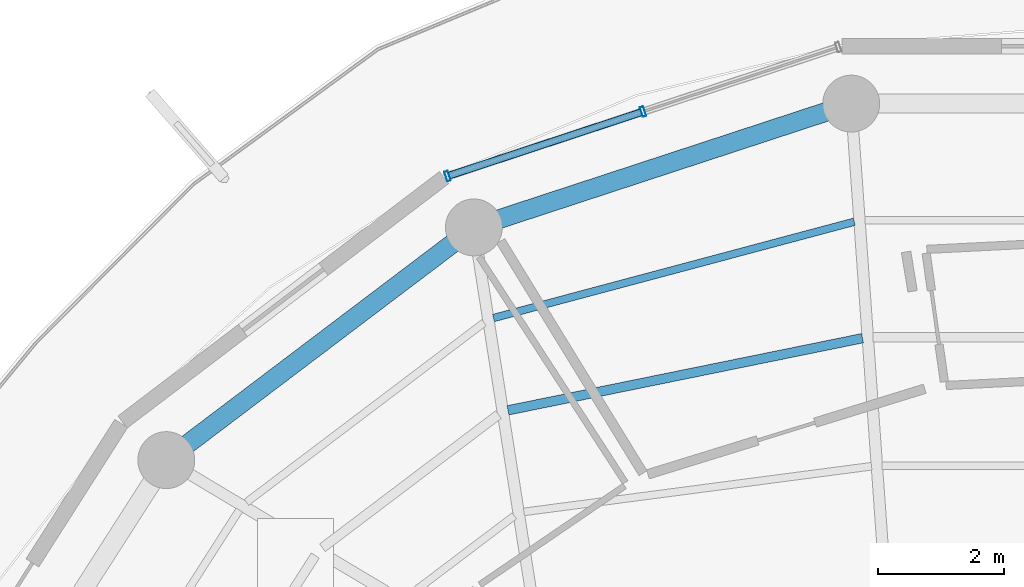
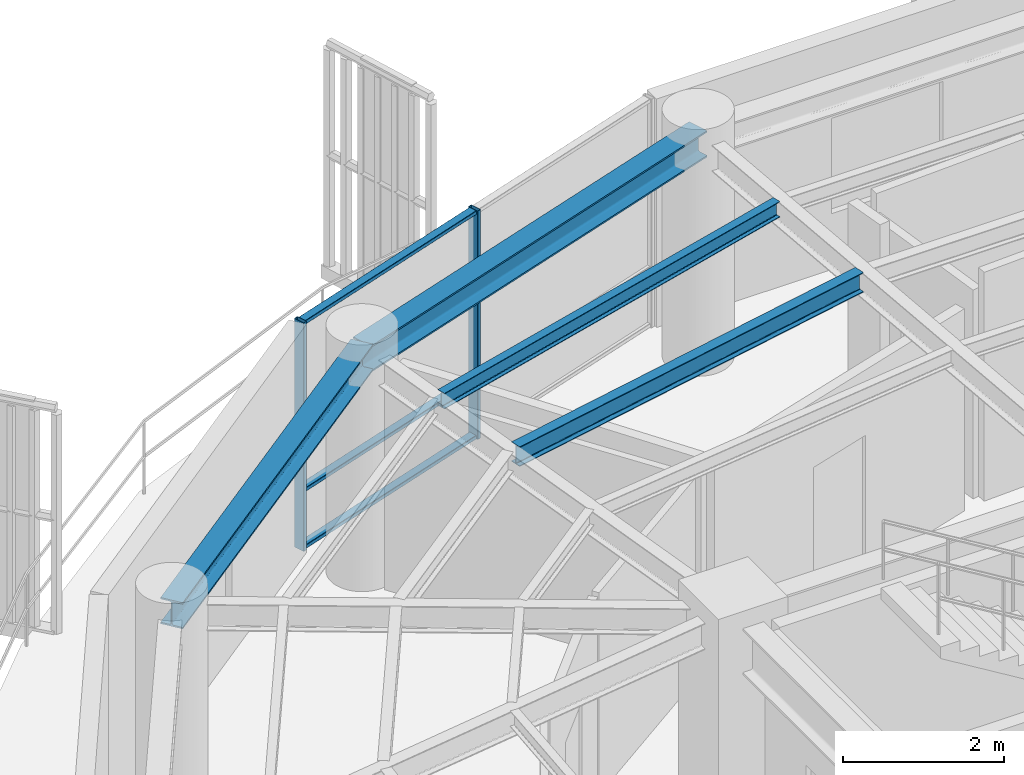
# One storey, part 13 of 24: 5 members, 4 beams, 1 element without a shape of its own.
"""IFC4 building model written with IfcOpenShell, lengths in metres."""

from ifc_helpers import new_model, si_unit, direction, frame, origin, origin_2d, place, context, subcontext, project, spatial, hollow_rectangle, i_section, extrude, material, layer, layer_set, material_profile, profile_set, type_object, element, aggregate, save


model = new_model("IFC4")

# Units and contexts
model_context = context("Model", 3, precision=1e-05, world=origin(), true_north=direction((0.0, 1.0)))
body_context = subcontext(model_context, "Body", "Model", "MODEL_VIEW")
ifc_project = project(units=[si_unit("LENGTHUNIT", "METRE"), si_unit("AREAUNIT", "SQUARE_METRE"), si_unit("VOLUMEUNIT", "CUBIC_METRE"), si_unit("PLANEANGLEUNIT", "RADIAN"), si_unit("MASSUNIT", "GRAM", prefix="KILO")], contexts=[model_context])

# Site, building, storey
site_placement = place(None, origin())
site = spatial("IfcSite", under=ifc_project, at=site_placement, CompositionType="ELEMENT")
building_placement = place(site_placement, origin())
building = spatial("IfcBuilding", under=site, at=building_placement, Name="Kelanora Arch Commons", CompositionType="ELEMENT")
storey_placement = place(building_placement, frame((0.0, 0.0, 248.699951171875)))
storey = spatial("IfcBuildingStorey", under=building, at=storey_placement, Name="L63", CompositionType="ELEMENT", Elevation=248.699951171875)

# Beams
ifc_material_1 = material(Name="Steel S355", Category="steel")
ifc_material_profile_1 = material_profile(ifc_material_1, i_section(OverallWidth=0.14990234375, OverallDepth=0.300048828125, WebThickness=0.007080078125, FlangeThickness=0.0107421875, FilletRadius=0.014892578125, at=origin_2d()), Name="IPE300")
ifc_profile_set_1 = profile_set([ifc_material_profile_1], Name="Steel S355")
beam_type_1 = type_object("IfcBeamType", Name="BM-JST-01", PredefinedType="JOIST", material=ifc_profile_set_1)
beam_1_placement = place(storey_placement, frame((71.004150390625, 70.520751953125, 3.340087890625), z_axis=(-0.979913482255, -0.199423086165, 0.0), x_axis=(0.199423086165, -0.979913482255, 0.0)))
element("IfcBeam", 1, at=beam_1_placement, inside=storey, type_object=beam_type_1, Name="Secondary Chord Joist BJB-10 L63", PredefinedType="JOIST", context=body_context, shape_type="SweptSolid", body=[
    extrude(i_section(OverallWidth=0.14990234375, OverallDepth=0.300048828125, WebThickness=0.007080078125, FlangeThickness=0.0107421875, FilletRadius=0.014892578125, at=origin_2d()), origin(), (0.0, 0.0, 1.0), 5.7197265625),
])
ifc_material_profile_2 = material_profile(ifc_material_1, i_section(OverallWidth=0.1201171875, OverallDepth=0.239990234375, WebThickness=0.006103515625, FlangeThickness=0.009765625, FilletRadius=0.014892578125, at=origin_2d()), Name="IPE240")
ifc_profile_set_2 = profile_set([ifc_material_profile_2], Name="Steel S355")
beam_type_2 = type_object("IfcBeamType", Name="BM-JST-02", PredefinedType="JOIST", material=ifc_profile_set_2)
beam_2_placement = place(storey_placement, frame((70.87451171875, 72.36181640625, 3.3701171875), z_axis=(-0.966190312964, -0.257829942278, 0.0), x_axis=(0.257829942278, -0.966190312964, 0.0)))
element("IfcBeam", 2, at=beam_2_placement, inside=storey, type_object=beam_type_2, Name="Secondary Chord Joist BJC-10 L63", PredefinedType="JOIST", context=body_context, shape_type="SweptSolid", body=[
    extrude(i_section(OverallWidth=0.1201171875, OverallDepth=0.239990234375, WebThickness=0.006103515625, FlangeThickness=0.009765625, FilletRadius=0.014892578125, at=origin_2d()), origin(), (0.0, 0.0, 1.0), 5.904052734375),
])
ifc_material_profile_3 = material_profile(ifc_material_1, i_section(OverallWidth=0.300048828125, OverallDepth=0.39990234375, WebThickness=0.013427734375, FlangeThickness=0.02392578125, FilletRadius=0.027099609375, at=origin_2d()), Name="HEB400")
ifc_profile_set_3 = profile_set([ifc_material_profile_3], Name="Steel S355")
beam_type_3 = type_object("IfcBeamType", Name="BM-SPN-Z4", PredefinedType="SPANDREL", material=ifc_profile_set_3)
beam_3_placement = place(storey_placement, frame((70.82568359375, 74.2294921875, 3.2900390625), z_axis=(-0.950165923039, -0.311744636996, 0.0), x_axis=(0.311744636996, -0.950165923039, 0.0)))
element("IfcBeam", 3, at=beam_3_placement, inside=storey, type_object=beam_type_3, Name="Perimeter Spandrel Beam BS-10 L63", PredefinedType="SPANDREL", context=body_context, shape_type="SweptSolid", body=[
    extrude(i_section(OverallWidth=0.300048828125, OverallDepth=0.39990234375, WebThickness=0.013427734375, FlangeThickness=0.02392578125, FilletRadius=0.027099609375, at=origin_2d()), origin(), (0.0, 0.0, 1.0), 6.278564453125),
])
beam_4_placement = place(storey_placement, frame((64.860107421875, 72.272216796875, 3.2900390625), z_axis=(-0.797509460967, -0.603306439273, 0.0), x_axis=(0.603306439273, -0.797509460967, 0.0)))
element("IfcBeam", 4, at=beam_4_placement, inside=storey, type_object=beam_type_3, Name="Perimeter Spandrel Beam BS-12 L63", PredefinedType="SPANDREL", context=body_context, shape_type="SweptSolid", body=[
    extrude(i_section(OverallWidth=0.300048828125, OverallDepth=0.39990234375, WebThickness=0.013427734375, FlangeThickness=0.02392578125, FilletRadius=0.027099609375, at=origin_2d()), origin(), (0.0, 0.0, 1.0), 6.098388671875),
])

# Curtain wall, members
ifc_material_2 = material(Name="Terracotta ceramic-fritted low-E glass and aluminium", Category="masonry")
ifc_layer = layer(ifc_material_2, 0.18994140625)
ifc_layer_set = layer_set([ifc_layer], Name="Terracotta ceramic-fritted low-E glass and aluminium")
curtain_wall_type = type_object("IfcCurtainWallType", Name="CW-SYS-03", PredefinedType="NOTDEFINED", material=ifc_layer_set)
curtain_wall_placement = place(storey_placement, origin())
curtain_wall = element("IfcCurtainWall", 5, at=curtain_wall_placement, inside=storey, type_object=curtain_wall_type, Name="Unitised Curtain Wall L63-B05", PredefinedType="NOTDEFINED")
ifc_material_3 = material(Name="Powder-coated aluminium terracotta", Category="masonry")
ifc_material_profile_4 = material_profile(ifc_material_3, hollow_rectangle(XDim=0.159912109375, YDim=0.06005859375, WallThickness=0.0048828125, InnerFilletRadius=0.0048828125, OuterFilletRadius=0.010009765625, at=origin_2d()), Name="CWM160x60")
ifc_profile_set_4 = profile_set([ifc_material_profile_4], Name="Powder-coated aluminium terracotta")
member_type_1 = type_object("IfcMemberType", Name="CWM-STD", PredefinedType="MULLION", material=ifc_profile_set_4)
member_1_placement = place(storey_placement, frame((67.532958984375, 74.102294921875, 0.0), z_axis=(0.0, 0.0, 1.0), x_axis=(0.313252785344, -0.949669780752, 0.0)))
member_1 = element("IfcMember", 6, at=member_1_placement, type_object=member_type_1, Name="CW-03 mullion 2", PredefinedType="MULLION", context=body_context, shape_type="SweptSolid", body=[
    extrude(hollow_rectangle(XDim=0.159912109375, YDim=0.06005859375, WallThickness=0.0048828125, InnerFilletRadius=0.0048828125, OuterFilletRadius=0.010009765625, at=origin_2d()), origin(), (0.0, 0.0, 1.0), 3.47509765625),
])
member_2_placement = place(storey_placement, frame((64.442626953125, 73.0830078125, 0.0), z_axis=(0.0, 0.0, 1.0), x_axis=(0.313252785344, -0.949669780752, 0.0)))
member_2 = element("IfcMember", 7, at=member_2_placement, type_object=member_type_1, Name="CW-03 mullion 3", PredefinedType="MULLION", context=body_context, shape_type="SweptSolid", body=[
    extrude(hollow_rectangle(XDim=0.159912109375, YDim=0.06005859375, WallThickness=0.0048828125, InnerFilletRadius=0.0048828125, OuterFilletRadius=0.010009765625, at=origin_2d()), origin(), (0.0, 0.0, 1.0), 3.47509765625),
])
ifc_material_profile_5 = material_profile(ifc_material_3, hollow_rectangle(XDim=0.1201171875, YDim=0.06005859375, WallThickness=0.0048828125, InnerFilletRadius=0.0048828125, OuterFilletRadius=0.010009765625, at=origin_2d()), Name="CWT120x60")
ifc_profile_set_5 = profile_set([ifc_material_profile_5], Name="Powder-coated aluminium terracotta")
member_type_2 = type_object("IfcMemberType", Name="CWT-STD", PredefinedType="USERDEFINED", material=ifc_profile_set_5)
member_3_placement = place(storey_placement, frame((67.50439453125, 74.0927734375, 0.030029296875), z_axis=(-0.949672315102, -0.313245102003, 0.0), x_axis=(0.313245102003, -0.949672315102, 0.0)))
member_3 = element("IfcMember", 8, at=member_3_placement, type_object=member_type_2, Name="CW-03 transom 2.1", ObjectType="TRANSOM", PredefinedType="USERDEFINED", context=body_context, shape_type="SweptSolid", body=[
    extrude(hollow_rectangle(XDim=0.1201171875, YDim=0.06005859375, WallThickness=0.0048828125, InnerFilletRadius=0.0048828125, OuterFilletRadius=0.010009765625, at=origin_2d()), origin(), (0.0, 0.0, 1.0), 3.19384765625),
])
member_4_placement = place(storey_placement, frame((67.50439453125, 74.0927734375, 0.900146484375), z_axis=(-0.949672315102, -0.313245102003, 0.0), x_axis=(0.313245102003, -0.949672315102, 0.0)))
member_4 = element("IfcMember", 9, at=member_4_placement, type_object=member_type_2, Name="CW-03 transom 2.2", ObjectType="TRANSOM", PredefinedType="USERDEFINED", context=body_context, shape_type="SweptSolid", body=[
    extrude(hollow_rectangle(XDim=0.1201171875, YDim=0.06005859375, WallThickness=0.0048828125, InnerFilletRadius=0.0048828125, OuterFilletRadius=0.010009765625, at=origin_2d()), origin(), (0.0, 0.0, 1.0), 3.19384765625),
])
member_5_placement = place(storey_placement, frame((67.50439453125, 74.0927734375, 3.445068359375), z_axis=(-0.949672315102, -0.313245102003, 0.0), x_axis=(0.313245102003, -0.949672315102, 0.0)))
member_5 = element("IfcMember", 10, at=member_5_placement, type_object=member_type_2, Name="CW-03 transom 2.3", ObjectType="TRANSOM", PredefinedType="USERDEFINED", context=body_context, shape_type="SweptSolid", body=[
    extrude(hollow_rectangle(XDim=0.1201171875, YDim=0.06005859375, WallThickness=0.0048828125, InnerFilletRadius=0.0048828125, OuterFilletRadius=0.010009765625, at=origin_2d()), origin(), (0.0, 0.0, 1.0), 3.19384765625),
])
aggregate(curtain_wall, [member_1, member_2, member_3, member_4, member_5])

save(model, "model.ifc")
